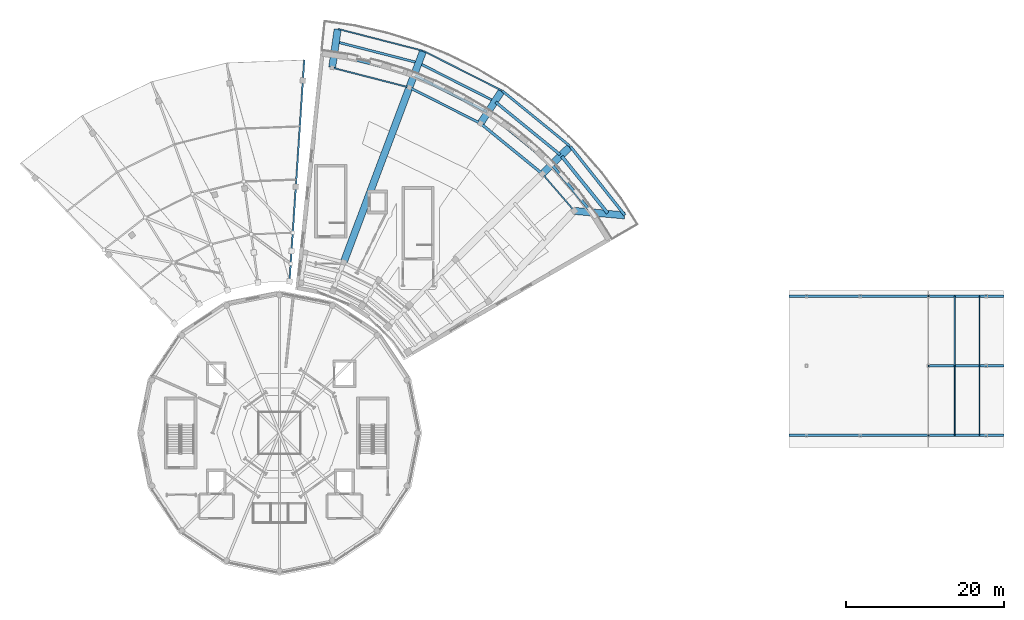
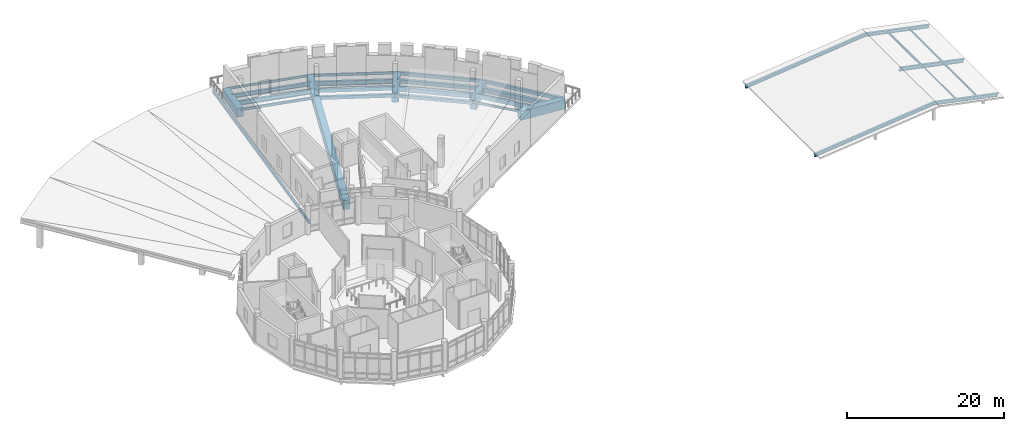
# One storey, part 15 of 27: 28 beams, 4 members.
"""IFC4 building model written with IfcOpenShell, lengths in metres."""

from ifc_helpers import new_model, si_unit, direction, frame, origin, origin_2d, place, context, subcontext, project, spatial, rectangle, i_section, extrude, material, material_profile, profile_set, type_object, element, save


model = new_model("IFC4")

# Units and contexts
model_context = context("Model", 3, precision=1e-05, world=origin(), true_north=direction((0.0, 1.0)))
body_context = subcontext(model_context, "Body", "Model", "MODEL_VIEW")
ifc_project = project(units=[si_unit("LENGTHUNIT", "METRE"), si_unit("AREAUNIT", "SQUARE_METRE"), si_unit("VOLUMEUNIT", "CUBIC_METRE"), si_unit("PLANEANGLEUNIT", "RADIAN"), si_unit("MASSUNIT", "GRAM", prefix="KILO")], contexts=[model_context])

# Site, building, storey
site_placement = place(None, origin())
site = spatial("IfcSite", under=ifc_project, at=site_placement, CompositionType="ELEMENT")
building_placement = place(site_placement, origin())
building = spatial("IfcBuilding", under=site, at=building_placement, Name="Soyqirgoq Riverine Aquarium", CompositionType="ELEMENT")
storey_placement = place(building_placement, frame((0.0, 0.0, 19.800048828125)))
storey = spatial("IfcBuildingStorey", under=building, at=storey_placement, Name="L05", CompositionType="ELEMENT", Elevation=19.800048828125)

# Beams
ifc_material_1 = material(Name="Concrete C40/50", Category="concrete")
ifc_material_profile_1 = material_profile(ifc_material_1, rectangle(XDim=0.35009765625, YDim=0.60009765625, at=origin_2d()), Name="RC 350x600")
ifc_profile_set_1 = profile_set([ifc_material_profile_1], Name="Concrete C40/50")
beam_type_1 = type_object("IfcBeamType", Name="Beam_RC_350x600", PredefinedType="JOIST", material=ifc_profile_set_1)
beam_1_placement = place(storey_placement, frame((95.345458984375, 84.98583984375, -0.580078125), z_axis=(-0.638020589805, 0.770019302995, 0.0), x_axis=(-0.770019302995, -0.638020589805, 0.0)))
element("IfcBeam", 1, at=beam_1_placement, inside=storey, type_object=beam_type_1, Name="V5 L05 Secondary Floor Joist 0994", PredefinedType="JOIST", context=body_context, shape_type="SweptSolid", body=[
    extrude(rectangle(XDim=0.35009765625, YDim=0.60009765625, at=origin_2d()), origin(), (0.0, 0.0, 1.0), 7.5888671875),
])
ifc_material_2 = material(Name="Concrete C40/50", Category="concrete")
ifc_material_profile_2 = material_profile(ifc_material_2, rectangle(XDim=0.419921875, YDim=0.679931640625, at=origin_2d()), Name="RC 420x680")
ifc_profile_set_2 = profile_set([ifc_material_profile_2], Name="Concrete C40/50")
beam_type_2 = type_object("IfcBeamType", Name="Beam_RC_420x680", PredefinedType="BEAM", material=ifc_profile_set_2)
beam_2_placement = place(storey_placement, frame((97.461181640625, 84.796142578125, -0.6201171875), z_axis=(-0.628173876328, 0.778072992141, 0.0), x_axis=(-0.778072992141, -0.628173876328, 0.0)))
element("IfcBeam", 2, at=beam_2_placement, inside=storey, type_object=beam_type_2, Name="V5 L05 Secondary Floor Joist 0995", PredefinedType="BEAM", context=body_context, shape_type="SweptSolid", body=[
    extrude(rectangle(XDim=0.419921875, YDim=0.679931640625, at=origin_2d()), origin(), (0.0, 0.0, 1.0), 9.2265625),
])
beam_3_placement = place(storey_placement, frame((90.305908203125, 91.025634765625, -0.6201171875), z_axis=(-0.774940282325, 0.63203446016, 0.0), x_axis=(-0.63203446016, -0.774940282325, 0.0)))
element("IfcBeam", 3, at=beam_3_placement, inside=storey, type_object=beam_type_2, Name="V5 L05 Secondary Floor Joist 0996", PredefinedType="BEAM", context=body_context, shape_type="SweptSolid", body=[
    extrude(rectangle(XDim=0.419921875, YDim=0.679931640625, at=origin_2d()), origin(), (0.0, 0.0, 1.0), 10.159912109375),
])
ifc_material_3 = material(Name="Structural steel S355", Category="steel")
ifc_material_profile_3 = material_profile(ifc_material_3, i_section(OverallWidth=0.199951171875, OverallDepth=0.5, WebThickness=0.01025390625, FlangeThickness=0.01611328125, FilletRadius=0.02099609375, at=origin_2d()), Name="IPE 500")
ifc_profile_set_3 = profile_set([ifc_material_profile_3], Name="Structural steel S355")
beam_type_3 = type_object("IfcBeamType", Name="Outrigger_IPE500", PredefinedType="BEAM", material=ifc_profile_set_3)
beam_4_placement = place(storey_placement, frame((57.2724609375, 76.15771484375, 0.21337890625), z_axis=(0.065895526064, 0.992154335172, 0.106242904907), x_axis=(-0.997801687231, 0.066270604035, 0.0)))
element("IfcBeam", 4, at=beam_4_placement, inside=storey, type_object=beam_type_3, Name="V4 Prairie Cantilever Eave Rafter 01", PredefinedType="BEAM", context=body_context, shape_type="SweptSolid", body=[
    extrude(i_section(OverallWidth=0.199951171875, OverallDepth=0.5, WebThickness=0.01025390625, FlangeThickness=0.01611328125, FilletRadius=0.02099609375, at=origin_2d()), origin(), (0.0, 0.0, 1.0), 28.209716796875),
])

# Members
ifc_material_4 = material(Name="Structural steel S355", Category="steel")
ifc_material_profile_4 = material_profile(ifc_material_4, i_section(OverallWidth=0.10009765625, OverallDepth=0.199951171875, WebThickness=0.005615234375, FlangeThickness=0.008544921875, FilletRadius=0.011962890625, at=origin_2d()), Name="IPE 200")
ifc_profile_set_4 = profile_set([ifc_material_profile_4], Name="Structural steel S355")
member_type_1 = type_object("IfcMemberType", Name="Purlin_IPE200", PredefinedType="PURLIN", material=ifc_profile_set_4)
member_1_placement = place(storey_placement, frame((141.324951171875, 56.699951171875, 1.7685546875), z_axis=(0.0, 1.0, 0.0), x_axis=(-1.0, 0.0, 0.0)))
element("IfcMember", 5, at=member_1_placement, inside=storey, type_object=member_type_1, Name="V7 Sloped Roof Purlin 0214", PredefinedType="PURLIN", context=body_context, shape_type="SweptSolid", body=[
    extrude(i_section(OverallWidth=0.10009765625, OverallDepth=0.199951171875, WebThickness=0.005615234375, FlangeThickness=0.008544921875, FilletRadius=0.011962890625, at=origin_2d()), origin(), (0.0, 0.0, 1.0), 8.800048828125),
])
ifc_material_5 = material(Name="Structural steel S355", Category="steel")
ifc_material_profile_5 = material_profile(ifc_material_5, i_section(OverallWidth=0.135009765625, OverallDepth=0.27001953125, WebThickness=0.006591796875, FlangeThickness=0.01025390625, FilletRadius=0.014892578125, at=origin_2d()), Name="IPE 270")
ifc_profile_set_5 = profile_set([ifc_material_profile_5], Name="Structural steel S355")
member_type_2 = type_object("IfcMemberType", Name="Purlin_IPE270", PredefinedType="PURLIN", material=ifc_profile_set_5)
member_2_placement = place(storey_placement, frame((144.4599609375, 65.5, 1.086669921875), z_axis=(0.0, 1.0, 0.0), x_axis=(-1.0, 0.0, 0.0)))
element("IfcMember", 6, at=member_2_placement, inside=storey, type_object=member_type_2, Name="V7 Sloped Roof Purlin 0217", PredefinedType="PURLIN", context=body_context, shape_type="SweptSolid", body=[
    extrude(i_section(OverallWidth=0.135009765625, OverallDepth=0.27001953125, WebThickness=0.006591796875, FlangeThickness=0.01025390625, FilletRadius=0.014892578125, at=origin_2d()), origin(), (0.0, 0.0, 1.0), 8.800048828125),
])
ifc_material_6 = material(Name="Structural steel S355", Category="steel")
ifc_material_profile_6 = material_profile(ifc_material_6, i_section(OverallWidth=0.14990234375, OverallDepth=0.300048828125, WebThickness=0.007080078125, FlangeThickness=0.0107421875, FilletRadius=0.014892578125, at=origin_2d()), Name="IPE 300")
ifc_profile_set_6 = profile_set([ifc_material_profile_6], Name="Structural steel S355")
member_type_3 = type_object("IfcMemberType", Name="Purlin_IPE300", PredefinedType="PURLIN", material=ifc_profile_set_6)
member_3_placement = place(storey_placement, frame((144.4599609375, 56.699951171875, 1.070068359375), z_axis=(0.0, 1.0, 0.0), x_axis=(-1.0, 0.0, 0.0)))
element("IfcMember", 7, at=member_3_placement, inside=storey, type_object=member_type_3, Name="V7 Sloped Roof Purlin 0216", PredefinedType="PURLIN", context=body_context, shape_type="SweptSolid", body=[
    extrude(i_section(OverallWidth=0.14990234375, OverallDepth=0.300048828125, WebThickness=0.007080078125, FlangeThickness=0.0107421875, FilletRadius=0.014892578125, at=origin_2d()), origin(), (0.0, 0.0, 1.0), 8.800048828125),
])
ifc_material_7 = material(Name="Structural steel S355", Category="steel")
ifc_material_profile_7 = material_profile(ifc_material_7, i_section(OverallWidth=0.159912109375, OverallDepth=0.330078125, WebThickness=0.007568359375, FlangeThickness=0.011474609375, FilletRadius=0.01806640625, at=origin_2d()), Name="IPE 330")
ifc_profile_set_7 = profile_set([ifc_material_profile_7], Name="Structural steel S355")
member_type_4 = type_object("IfcMemberType", Name="Purlin_IPE330", PredefinedType="PURLIN", material=ifc_profile_set_7)
member_4_placement = place(storey_placement, frame((141.324951171875, 65.5, 1.697509765625), z_axis=(0.0, 1.0, 0.0), x_axis=(-1.0, 0.0, 0.0)))
element("IfcMember", 8, at=member_4_placement, inside=storey, type_object=member_type_4, Name="V7 Sloped Roof Purlin 0215", PredefinedType="PURLIN", context=body_context, shape_type="SweptSolid", body=[
    extrude(i_section(OverallWidth=0.159912109375, OverallDepth=0.330078125, WebThickness=0.007568359375, FlangeThickness=0.011474609375, FilletRadius=0.01806640625, at=origin_2d()), origin(), (0.0, 0.0, 1.0), 8.800048828125),
])

# Beams
ifc_material_8 = material(Name="Concrete C40/50", Category="concrete")
ifc_material_profile_8 = material_profile(ifc_material_8, rectangle(XDim=0.300048828125, YDim=0.5, at=origin_2d()), Name="RC 300x500")
ifc_profile_set_8 = profile_set([ifc_material_profile_8], Name="Concrete C40/50")
beam_type_4 = type_object("IfcBeamType", Name="Spandrel_RC_300x500", PredefinedType="SPANDREL", material=ifc_profile_set_8)
beam_5_placement = place(storey_placement, frame((81.36279296875, 96.146484375, -0.530029296875), z_axis=(-0.892579349445, 0.450890346919, 0.0), x_axis=(-0.450890346919, -0.892579349445, 0.0)))
element("IfcBeam", 9, at=beam_5_placement, inside=storey, type_object=beam_type_4, Name="V5 L05 Wedge Chord Beam 0992", PredefinedType="SPANDREL", context=body_context, shape_type="SweptSolid", body=[
    extrude(rectangle(XDim=0.300048828125, YDim=0.5, at=origin_2d()), origin(), (0.0, 0.0, 1.0), 9.9765625),
])
beam_6_placement = place(storey_placement, frame((92.701904296875, 93.2626953125, -0.530029296875), z_axis=(-0.774945071602, 0.63202858796, 0.0), x_axis=(-0.63202858796, -0.774945071602, 0.0)))
element("IfcBeam", 10, at=beam_6_placement, inside=storey, type_object=beam_type_4, Name="V5 L05 Wedge Chord Beam 1003", PredefinedType="SPANDREL", context=body_context, shape_type="SweptSolid", body=[
    extrude(rectangle(XDim=0.300048828125, YDim=0.5, at=origin_2d()), origin(), (0.0, 0.0, 1.0), 11.045654296875),
])
ifc_material_9 = material(Name="Concrete C40/50", Category="concrete")
ifc_material_profile_9 = material_profile(ifc_material_9, rectangle(XDim=0.35009765625, YDim=0.5, at=origin_2d()), Name="RC 350x500")
ifc_profile_set_9 = profile_set([ifc_material_profile_9], Name="Concrete C40/50")
beam_type_5 = type_object("IfcBeamType", Name="Spandrel_RC_350x500", PredefinedType="SPANDREL", material=ifc_profile_set_9)
beam_7_placement = place(storey_placement, frame((89.17724609375, 89.787109375, -0.530029296875), z_axis=(-0.774956174889, 0.632014973716, 0.0), x_axis=(-0.632014973716, -0.774956174889, 0.0)))
element("IfcBeam", 11, at=beam_7_placement, inside=storey, type_object=beam_type_5, Name="V5 L05 Wedge Chord Beam 0991", PredefinedType="SPANDREL", context=body_context, shape_type="SweptSolid", body=[
    extrude(rectangle(XDim=0.35009765625, YDim=0.5, at=origin_2d()), origin(), (0.0, 0.0, 1.0), 9.976318359375),
])
beam_8_placement = place(storey_placement, frame((99.632568359375, 84.53564453125, -0.530029296875), z_axis=(-0.621160278582, 0.78368355113, 0.0), x_axis=(-0.78368355113, -0.621160278582, 0.0)))
element("IfcBeam", 12, at=beam_8_placement, inside=storey, type_object=beam_type_5, Name="V5 L05 Wedge Chord Beam 1002", PredefinedType="SPANDREL", context=body_context, shape_type="SweptSolid", body=[
    extrude(rectangle(XDim=0.35009765625, YDim=0.5, at=origin_2d()), origin(), (0.0, 0.0, 1.0), 11.045654296875),
])
ifc_material_10 = material(Name="Structural steel S355", Category="steel")
ifc_material_profile_10 = material_profile(ifc_material_10, i_section(OverallWidth=0.169921875, OverallDepth=0.360107421875, WebThickness=0.008056640625, FlangeThickness=0.0126953125, FilletRadius=0.01806640625, at=origin_2d()), Name="IPE 360")
ifc_profile_set_10 = profile_set([ifc_material_profile_10], Name="Structural steel S355")
beam_type_6 = type_object("IfcBeamType", Name="Spandrel_Steel_IPE360", PredefinedType="SPANDREL", material=ifc_profile_set_10)
beam_9_placement = place(storey_placement, frame((93.2236328125, 85.112548828125, -0.4599609375), z_axis=(-0.653415046346, 0.756999852846, 0.0), x_axis=(-0.756999852846, -0.653415046346, 0.0)))
element("IfcBeam", 13, at=beam_9_placement, inside=storey, type_object=beam_type_6, Name="V5 L05 Wedge Chord Beam 0990", PredefinedType="SPANDREL", context=body_context, shape_type="SweptSolid", body=[
    extrude(i_section(OverallWidth=0.169921875, OverallDepth=0.360107421875, WebThickness=0.008056640625, FlangeThickness=0.0126953125, FilletRadius=0.01806640625, at=origin_2d()), origin(), (0.0, 0.0, 1.0), 6.083251953125),
])
beam_10_placement = place(storey_placement, frame((74.106689453125, 105.31298828125, -0.4599609375), z_axis=(-0.968579543113, 0.248703977981, 0.0), x_axis=(-0.248703977981, -0.968579543113, 0.0)))
element("IfcBeam", 14, at=beam_10_placement, inside=storey, type_object=beam_type_6, Name="V5 L05 Wedge Chord Beam 1005", PredefinedType="SPANDREL", context=body_context, shape_type="SweptSolid", body=[
    extrude(i_section(OverallWidth=0.169921875, OverallDepth=0.360107421875, WebThickness=0.008056640625, FlangeThickness=0.0126953125, FilletRadius=0.01806640625, at=origin_2d()), origin(), (0.0, 0.0, 1.0), 11.045654296875),
])
ifc_material_11 = material(Name="Structural steel S355", Category="steel")
ifc_material_profile_11 = material_profile(ifc_material_11, i_section(OverallWidth=0.179931640625, OverallDepth=0.39990234375, WebThickness=0.008544921875, FlangeThickness=0.013427734375, FilletRadius=0.02099609375, at=origin_2d()), Name="IPE 400")
ifc_profile_set_11 = profile_set([ifc_material_profile_11], Name="Structural steel S355")
beam_type_7 = type_object("IfcBeamType", Name="Spandrel_Steel_IPE400", PredefinedType="SPANDREL", material=ifc_profile_set_11)
beam_11_placement = place(storey_placement, frame((72.364990234375, 100.6796875, -0.47998046875), z_axis=(-0.968585617633, 0.248680319515, 0.0), x_axis=(-0.248680319515, -0.968585617633, 0.0)))
element("IfcBeam", 15, at=beam_11_placement, inside=storey, type_object=beam_type_7, Name="V5 L05 Wedge Chord Beam 0993", PredefinedType="SPANDREL", context=body_context, shape_type="SweptSolid", body=[
    extrude(i_section(OverallWidth=0.179931640625, OverallDepth=0.39990234375, WebThickness=0.008544921875, FlangeThickness=0.013427734375, FilletRadius=0.02099609375, at=origin_2d()), origin(), (0.0, 0.0, 1.0), 9.9765625),
])
beam_12_placement = place(storey_placement, frame((84.058837890625, 100.2978515625, -0.47998046875), z_axis=(-0.892576221627, 0.450896538672, 0.0), x_axis=(-0.450896538672, -0.892576221627, 0.0)))
element("IfcBeam", 16, at=beam_12_placement, inside=storey, type_object=beam_type_7, Name="V5 L05 Wedge Chord Beam 1004", PredefinedType="SPANDREL", context=body_context, shape_type="SweptSolid", body=[
    extrude(i_section(OverallWidth=0.179931640625, OverallDepth=0.39990234375, WebThickness=0.008544921875, FlangeThickness=0.013427734375, FilletRadius=0.02099609375, at=origin_2d()), origin(), (0.0, 0.0, 1.0), 11.045654296875),
])
ifc_material_12 = material(Name="Structural steel S355", Category="steel")
ifc_material_profile_12 = material_profile(ifc_material_12, i_section(OverallWidth=0.300048828125, OverallDepth=0.489990234375, WebThickness=0.011962890625, FlangeThickness=0.02294921875, FilletRadius=0.027099609375, at=origin_2d()), Name="HEA 500")
ifc_profile_set_12 = profile_set([ifc_material_profile_12], Name="Structural steel S355")
beam_type_8 = type_object("IfcBeamType", Name="SteelBeam_HEA500", PredefinedType="BEAM", material=ifc_profile_set_12)
beam_13_placement = place(storey_placement, frame((120.39990234375, 56.699951171875, 0.36962890625), z_axis=(0.993938091026, 0.0, 0.10994121706), x_axis=(0.0, 1.0, 0.0)))
element("IfcBeam", 17, at=beam_13_placement, inside=storey, type_object=beam_type_8, Name="V7 Sloped Prairie Rafter W01", PredefinedType="BEAM", context=body_context, shape_type="SweptSolid", body=[
    extrude(i_section(OverallWidth=0.300048828125, OverallDepth=0.489990234375, WebThickness=0.011962890625, FlangeThickness=0.02294921875, FilletRadius=0.027099609375, at=origin_2d()), origin(), (0.0, 0.0, 1.0), 17.70751953125),
])
beam_14_placement = place(storey_placement, frame((138.0, 56.699951171875, 2.31640625), z_axis=(0.979577661807, 0.0, -0.20106616943), x_axis=(0.0, 1.0, 0.0)))
element("IfcBeam", 18, at=beam_14_placement, inside=storey, type_object=beam_type_8, Name="V7 Sloped Prairie Rafter E01", PredefinedType="BEAM", context=body_context, shape_type="SweptSolid", body=[
    extrude(i_section(OverallWidth=0.300048828125, OverallDepth=0.489990234375, WebThickness=0.011962890625, FlangeThickness=0.02294921875, FilletRadius=0.027099609375, at=origin_2d()), origin(), (0.0, 0.0, 1.0), 9.697998046875),
])
beam_15_placement = place(storey_placement, frame((120.39990234375, 74.300048828125, 0.36962890625), z_axis=(0.993938091026, 0.0, 0.10994121706), x_axis=(0.0, 1.0, 0.0)))
element("IfcBeam", 19, at=beam_15_placement, inside=storey, type_object=beam_type_8, Name="V7 Sloped Prairie Rafter W03", PredefinedType="BEAM", context=body_context, shape_type="SweptSolid", body=[
    extrude(i_section(OverallWidth=0.300048828125, OverallDepth=0.489990234375, WebThickness=0.011962890625, FlangeThickness=0.02294921875, FilletRadius=0.027099609375, at=origin_2d()), origin(), (0.0, 0.0, 1.0), 17.70751953125),
])
beam_16_placement = place(storey_placement, frame((138.0, 74.300048828125, 2.31640625), z_axis=(0.979577661807, 0.0, -0.20106616943), x_axis=(0.0, 1.0, 0.0)))
element("IfcBeam", 20, at=beam_16_placement, inside=storey, type_object=beam_type_8, Name="V7 Sloped Prairie Rafter E03", PredefinedType="BEAM", context=body_context, shape_type="SweptSolid", body=[
    extrude(i_section(OverallWidth=0.300048828125, OverallDepth=0.489990234375, WebThickness=0.011962890625, FlangeThickness=0.02294921875, FilletRadius=0.027099609375, at=origin_2d()), origin(), (0.0, 0.0, 1.0), 9.697998046875),
])
ifc_material_13 = material(Name="Structural steel S355", Category="steel")
ifc_material_profile_13 = material_profile(ifc_material_13, i_section(OverallWidth=0.300048828125, OverallDepth=0.5400390625, WebThickness=0.012451171875, FlangeThickness=0.02392578125, FilletRadius=0.027099609375, at=origin_2d()), Name="HEA 550")
ifc_profile_set_13 = profile_set([ifc_material_profile_13], Name="Structural steel S355")
beam_type_9 = type_object("IfcBeamType", Name="SteelBeam_HEA550", PredefinedType="BEAM", material=ifc_profile_set_13)
beam_17_placement = place(storey_placement, frame((138.0, 65.5, 2.291259765625), z_axis=(0.979577661807, 0.0, -0.20106616943), x_axis=(0.0, 1.0, 0.0)))
element("IfcBeam", 21, at=beam_17_placement, inside=storey, type_object=beam_type_9, Name="V7 Sloped Prairie Rafter E02", PredefinedType="BEAM", context=body_context, shape_type="SweptSolid", body=[
    extrude(i_section(OverallWidth=0.300048828125, OverallDepth=0.5400390625, WebThickness=0.012451171875, FlangeThickness=0.02392578125, FilletRadius=0.027099609375, at=origin_2d()), origin(), (0.0, 0.0, 1.0), 9.697998046875),
])
ifc_material_14 = material(Name="Structural steel S355", Category="steel")
ifc_material_profile_14 = material_profile(ifc_material_14, i_section(OverallWidth=0.300048828125, OverallDepth=0.590087890625, WebThickness=0.012939453125, FlangeThickness=0.02490234375, FilletRadius=0.027099609375, at=origin_2d()), Name="HEA 600")
ifc_profile_set_14 = profile_set([ifc_material_profile_14], Name="Structural steel S355")
beam_type_10 = type_object("IfcBeamType", Name="SteelBeam_HEA600", PredefinedType="BEAM", material=ifc_profile_set_14)
beam_18_placement = place(storey_placement, frame((73.444580078125, 103.806396484375, -0.574951171875), z_axis=(-0.968580573977, 0.248699963237, 0.0), x_axis=(-0.248699963237, -0.968580573977, 0.0)))
element("IfcBeam", 22, at=beam_18_placement, inside=storey, type_object=beam_type_10, Name="V5 L05 Secondary Floor Joist 1001", PredefinedType="BEAM", context=body_context, shape_type="SweptSolid", body=[
    extrude(i_section(OverallWidth=0.300048828125, OverallDepth=0.590087890625, WebThickness=0.012939453125, FlangeThickness=0.02490234375, FilletRadius=0.027099609375, at=origin_2d()), origin(), (0.0, 0.0, 1.0), 10.5126953125),
])
ifc_material_15 = material(Name="Structural steel S355", Category="steel")
ifc_material_profile_15 = material_profile(ifc_material_15, i_section(OverallWidth=0.300048828125, OverallDepth=0.68994140625, WebThickness=0.014404296875, FlangeThickness=0.027099609375, FilletRadius=0.027099609375, at=origin_2d()), Name="HEA 700")
ifc_profile_set_15 = profile_set([ifc_material_profile_15], Name="Structural steel S355")
beam_type_11 = type_object("IfcBeamType", Name="SteelBeam_HEA700", PredefinedType="BEAM", material=ifc_profile_set_15)
beam_19_placement = place(storey_placement, frame((83.0888671875, 98.968505859375, -0.625), z_axis=(-0.892589750017, 0.45086975743, 0.0), x_axis=(-0.45086975743, -0.892589750017, 0.0)))
element("IfcBeam", 23, at=beam_19_placement, inside=storey, type_object=beam_type_11, Name="V5 L05 Secondary Floor Joist 0999", PredefinedType="BEAM", context=body_context, shape_type="SweptSolid", body=[
    extrude(i_section(OverallWidth=0.300048828125, OverallDepth=0.68994140625, WebThickness=0.014404296875, FlangeThickness=0.027099609375, FilletRadius=0.027099609375, at=origin_2d()), origin(), (0.0, 0.0, 1.0), 10.512939453125),
])
beam_20_placement = place(storey_placement, frame((72.869873046875, 102.27734375, -0.625), z_axis=(-0.968577827691, 0.24871065861, 0.0), x_axis=(-0.24871065861, -0.968577827691, 0.0)))
element("IfcBeam", 24, at=beam_20_placement, inside=storey, type_object=beam_type_11, Name="V5 L05 Secondary Floor Joist 1000", PredefinedType="BEAM", context=body_context, shape_type="SweptSolid", body=[
    extrude(i_section(OverallWidth=0.300048828125, OverallDepth=0.68994140625, WebThickness=0.014404296875, FlangeThickness=0.027099609375, FilletRadius=0.027099609375, at=origin_2d()), origin(), (0.0, 0.0, 1.0), 10.159912109375),
])
ifc_material_16 = material(Name="Concrete C40/50", Category="concrete")
ifc_material_profile_16 = material_profile(ifc_material_16, rectangle(XDim=0.35009765625, YDim=0.550048828125, at=origin_2d()), Name="RC 350x550")
ifc_profile_set_16 = profile_set([ifc_material_profile_16], Name="Concrete C40/50")
beam_type_12 = type_object("IfcBeamType", Name="TBeam_RC_350x550", PredefinedType="T_BEAM", material=ifc_profile_set_16)
beam_21_placement = place(storey_placement, frame((91.468994140625, 92.172607421875, -0.554931640625), z_axis=(-0.774945538771, 0.632028015153, 0.0), x_axis=(-0.632028015153, -0.774945538771, 0.0)))
element("IfcBeam", 25, at=beam_21_placement, inside=storey, type_object=beam_type_12, Name="V5 L05 Secondary Floor Joist 0997", PredefinedType="T_BEAM", context=body_context, shape_type="SweptSolid", body=[
    extrude(rectangle(XDim=0.35009765625, YDim=0.550048828125, at=origin_2d()), origin(), (0.0, 0.0, 1.0), 10.5126953125),
])
beam_22_placement = place(storey_placement, frame((82.19921875, 97.5986328125, -0.554931640625), z_axis=(-0.892588619562, 0.450871995392, 0.0), x_axis=(-0.450871995392, -0.892588619562, 0.0)))
element("IfcBeam", 26, at=beam_22_placement, inside=storey, type_object=beam_type_12, Name="V5 L05 Secondary Floor Joist 0998", PredefinedType="T_BEAM", context=body_context, shape_type="SweptSolid", body=[
    extrude(rectangle(XDim=0.35009765625, YDim=0.550048828125, at=origin_2d()), origin(), (0.0, 0.0, 1.0), 10.159912109375),
])
ifc_material_17 = material(Name="Waterproof concrete C45/55", Category="concrete")
ifc_material_profile_17 = material_profile(ifc_material_17, rectangle(XDim=0.89990234375, YDim=1.39990234375, at=origin_2d()), Name="RC 900x1400")
ifc_profile_set_17 = profile_set([ifc_material_profile_17], Name="Waterproof concrete C45/55")
beam_type_13 = type_object("IfcBeamType", Name="TransferGirder_900x1400", PredefinedType="BEAM", material=ifc_profile_set_17)
beam_23_placement = place(storey_placement, frame((93.30615234375, 85.0703125, -0.97998046875), z_axis=(0.99595114055, -0.089896193674, 0.0), x_axis=(0.089896193674, 0.99595114055, 0.0)))
element("IfcBeam", 27, at=beam_23_placement, inside=storey, type_object=beam_type_13, Name="V5 L05 Wedge Radial Girder 0957", PredefinedType="BEAM", context=body_context, shape_type="SweptSolid", body=[
    extrude(rectangle(XDim=0.89990234375, YDim=1.39990234375, at=origin_2d()), origin(), (0.0, 0.0, 1.0), 6.333251953125),
])
for number, where, z_axis, x_axis, name in (
    (28, (89.251708984375, 89.79052734375, -0.97998046875), (0.711997820569, 0.702181674145, 0.0), (-0.702181674145, 0.711997820569, 0.0), "V5 L05 Wedge Radial Girder 0961"),
    (29, (81.4345703125, 96.166015625, -0.97998046875), (0.544669820921, 0.838650574541, 0.0), (-0.838650574541, 0.544669820921, 0.0), "V5 L05 Wedge Radial Girder 0963"),
):
    element("IfcBeam", number, at=place(storey_placement, frame(where, z_axis=z_axis, x_axis=x_axis)), inside=storey, type_object=beam_type_13, Name=name, PredefinedType="BEAM", context=body_context, shape_type="SweptSolid", body=[
        extrude(rectangle(XDim=0.89990234375, YDim=1.39990234375, at=origin_2d()), origin(), (0.0, 0.0, 1.0), 4.849853515625),
    ])
beam_24_placement = place(storey_placement, frame((64.12744140625, 78.623046875, -0.97998046875), z_axis=(0.351844020592, 0.936058644089, 0.0), x_axis=(-0.936058644089, 0.351844020592, 0.0)))
element("IfcBeam", 30, at=beam_24_placement, inside=storey, type_object=beam_type_13, Name="V5 L05 Wedge Radial Girder 0965", PredefinedType="BEAM", context=body_context, shape_type="SweptSolid", body=[
    extrude(rectangle(XDim=0.89990234375, YDim=1.39990234375, at=origin_2d()), origin(), (0.0, 0.0, 1.0), 23.5),
])
for number, where, z_axis, x_axis, name in (
    (31, (72.430908203125, 100.714111328125, -0.97998046875), (0.35186806863, 0.936049604604, 0.0), (-0.936049604604, 0.35186806863, 0.0), "V5 L05 Wedge Radial Girder 0966"),
    (32, (62.66064453125, 103.22265625, -0.97998046875), (0.142661605839, 0.989771522231, 0.0), (-0.989771522231, 0.142661605839, 0.0), "V5 L05 Wedge Radial Girder 0968"),
):
    element("IfcBeam", number, at=place(storey_placement, frame(where, z_axis=z_axis, x_axis=x_axis)), inside=storey, type_object=beam_type_13, Name=name, PredefinedType="BEAM", context=body_context, shape_type="SweptSolid", body=[
        extrude(rectangle(XDim=0.89990234375, YDim=1.39990234375, at=origin_2d()), origin(), (0.0, 0.0, 1.0), 4.849853515625),
    ])

save(model, "model.ifc")
